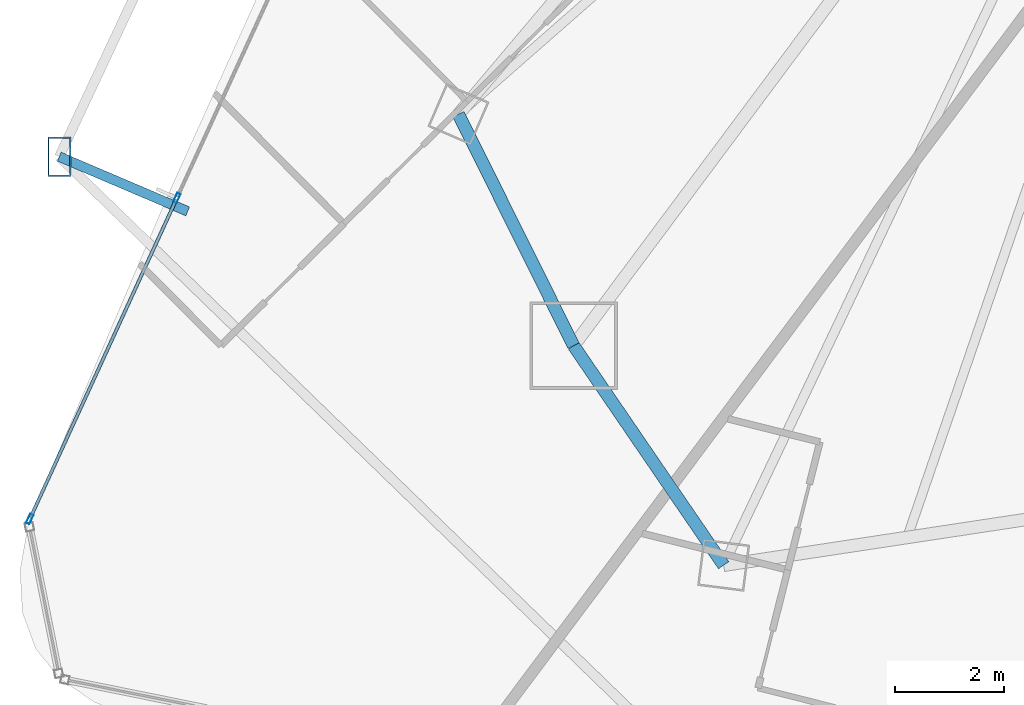
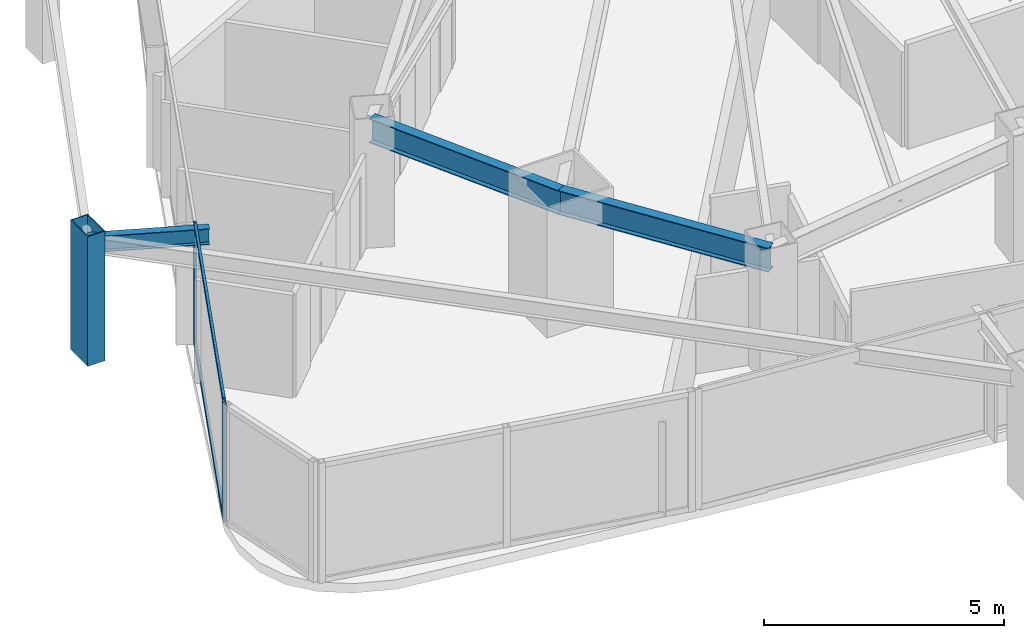
# One storey, part 5 of 35: 5 members, 3 beams, 1 element without a shape of its own.
"""IFC4 building model written with IfcOpenShell, lengths in metres."""

from ifc_helpers import new_model, si_unit, direction, frame, origin, origin_2d, place, context, subcontext, project, spatial, hollow_rectangle, i_section, extrude, material, layer, layer_set, material_profile, profile_set, type_object, element, aggregate, save


model = new_model("IFC4")

# Units and contexts
model_context = context("Model", 3, precision=1e-05, world=origin(), true_north=direction((0.0, 1.0)))
body_context = subcontext(model_context, "Body", "Model", "MODEL_VIEW")
ifc_project = project(units=[si_unit("LENGTHUNIT", "METRE"), si_unit("AREAUNIT", "SQUARE_METRE"), si_unit("VOLUMEUNIT", "CUBIC_METRE"), si_unit("PLANEANGLEUNIT", "RADIAN"), si_unit("MASSUNIT", "GRAM", prefix="KILO")], contexts=[model_context])

# Site, building, storey
site_placement = place(None, origin())
site = spatial("IfcSite", under=ifc_project, at=site_placement, CompositionType="ELEMENT")
building_placement = place(site_placement, origin())
building = spatial("IfcBuilding", under=site, at=building_placement, Name="Orvanel Arch Residences", CompositionType="ELEMENT")
storey_placement = place(building_placement, frame((0.0, 0.0, 36.800048828125)))
storey = spatial("IfcBuildingStorey", under=building, at=storey_placement, Name="L09", CompositionType="ELEMENT", Elevation=36.800048828125)

# Member
ifc_material_1 = material(Name="Structural steel AS/NZS 3678 Grade 350", Category="steel")
ifc_material_profile_1 = material_profile(ifc_material_1, hollow_rectangle(XDim=0.419921875, YDim=0.719970703125, WallThickness=0.02490234375, at=origin_2d()), Name="RHS720x420x25")
ifc_profile_set_1 = profile_set([ifc_material_profile_1], Name="Structural steel AS/NZS 3678 Grade 350")
member_type_1 = type_object("IfcMemberType", Name="CH-720RHS-EXT", PredefinedType="CHORD", material=ifc_profile_set_1)
member_1_placement = place(storey_placement, frame((4.801025390625, 13.804931640625, 0.0), z_axis=(0.0, 0.0, 1.0), x_axis=(1.0, 0.0, 0.0)))
element("IfcMember", 1, at=member_1_placement, inside=storey, type_object=member_type_1, Name="L09 Outer Perimeter Frame Post 04", PredefinedType="CHORD", context=body_context, shape_type="SweptSolid", body=[
    extrude(hollow_rectangle(XDim=0.419921875, YDim=0.719970703125, WallThickness=0.02490234375, at=origin_2d()), origin(), (0.0, 0.0, 1.0), 3.300048828125),
])

# Curtain wall, members
ifc_material_2 = material(Name="Bronze-anodised aluminium AA6063-T6", Category="aluminium")
ifc_layer = layer(ifc_material_2, 0.179931640625)
ifc_layer_set = layer_set([ifc_layer], Name="Bronze-anodised aluminium AA6063-T6")
curtain_wall_type = type_object("IfcCurtainWallType", Name="CW2-LOW-SYS", PredefinedType="NOTDEFINED", material=ifc_layer_set)
curtain_wall_placement = place(storey_placement, origin())
curtain_wall = element("IfcCurtainWall", 2, at=curtain_wall_placement, inside=storey, type_object=curtain_wall_type, Name="L09 CW2-LOW-SYS Unitised Curtain Wall", PredefinedType="NOTDEFINED")
ifc_material_profile_2 = material_profile(ifc_material_2, hollow_rectangle(XDim=0.070068359375, YDim=0.179931640625, WallThickness=0.00439453125, at=origin_2d()), Name="ALU180x70x4.5")
ifc_profile_set_2 = profile_set([ifc_material_profile_2], Name="Bronze-anodised aluminium AA6063-T6")
member_type_2 = type_object("IfcMemberType", Name="MUL-180x70", PredefinedType="MULLION", material=ifc_profile_set_2)
member_2_placement = place(storey_placement, frame((6.94921875, 13.048095703125, 0.0), z_axis=(0.0, 0.0, 1.0), x_axis=(0.909118333197, -0.416537940944, 0.0)))
member_2 = element("IfcMember", 3, at=member_2_placement, type_object=member_type_2, Name="CW-S2 mullion 3", PredefinedType="MULLION", context=body_context, shape_type="SweptSolid", body=[
    extrude(hollow_rectangle(XDim=0.070068359375, YDim=0.179931640625, WallThickness=0.00439453125, at=origin_2d()), origin(), (0.0, 0.0, 1.0), 3.06005859375),
])
member_3_placement = place(storey_placement, frame((4.261474609375, 7.181884765625, 0.0), z_axis=(0.0, 0.0, 1.0), x_axis=(0.909118333197, -0.416537940944, 0.0)))
member_3 = element("IfcMember", 4, at=member_3_placement, type_object=member_type_2, Name="CW-S2 mullion 4", PredefinedType="MULLION", context=body_context, shape_type="SweptSolid", body=[
    extrude(hollow_rectangle(XDim=0.070068359375, YDim=0.179931640625, WallThickness=0.00439453125, at=origin_2d()), origin(), (0.0, 0.0, 1.0), 3.06005859375),
])

# Beams
ifc_material_3 = material(Name="Structural steel AS/NZS 3679.1 Grade 300 (300 MPa)", Category="steel")
ifc_material_profile_3 = material_profile(ifc_material_3, i_section(OverallWidth=0.177978515625, OverallDepth=0.406005859375, WebThickness=0.0078125, FlangeThickness=0.0126953125, at=origin_2d()), Name="410UB59.7")
ifc_profile_set_3 = profile_set([ifc_material_profile_3], Name="Structural steel AS/NZS 3679.1 Grade 300 (300 MPa)")
beam_type_1 = type_object("IfcBeamType", Name="OB-410UB-EXT", PredefinedType="SPANDREL", material=ifc_profile_set_3)
beam_1_placement = place(storey_placement, frame((7.14697265625, 12.804931640625, 2.85693359375), z_axis=(-0.919910810227, 0.39212765935, 0.0), x_axis=(-0.39212765935, -0.919910810227, 0.0)))
element("IfcBeam", 5, at=beam_1_placement, inside=storey, type_object=beam_type_1, Name="L09 Outer Frame Radial Tie Beam 04", PredefinedType="SPANDREL", context=body_context, shape_type="SweptSolid", body=[
    extrude(i_section(OverallWidth=0.177978515625, OverallDepth=0.406005859375, WebThickness=0.0078125, FlangeThickness=0.0126953125, at=origin_2d()), origin(), (0.0, 0.0, 1.0), 2.55029296875),
])
ifc_material_profile_4 = material_profile(ifc_material_3, i_section(OverallWidth=0.22900390625, OverallDepth=0.612060546875, WebThickness=0.011962890625, FlangeThickness=0.01953125, at=origin_2d()), Name="610UB125")
ifc_profile_set_4 = profile_set([ifc_material_profile_4], Name="Structural steel AS/NZS 3679.1 Grade 300 (300 MPa)")
beam_type_2 = type_object("IfcBeamType", Name="SP-610UB", PredefinedType="SPANDREL", material=ifc_profile_set_4)
beam_2_placement = place(storey_placement, frame((12.094970703125, 14.580078125, 2.75390625), z_axis=(0.44543469453, -0.895314432425, 0.0), x_axis=(0.895314432425, 0.44543469453, 0.0)))
element("IfcBeam", 6, at=beam_2_placement, inside=storey, type_object=beam_type_2, Name="L09 Perimeter Spandrel Beam 02", PredefinedType="SPANDREL", context=body_context, shape_type="SweptSolid", body=[
    extrude(i_section(OverallWidth=0.22900390625, OverallDepth=0.612060546875, WebThickness=0.011962890625, FlangeThickness=0.01953125, at=origin_2d()), origin(), (0.0, 0.0, 1.0), 4.723388671875),
])
beam_3_placement = place(storey_placement, frame((14.198974609375, 10.35107421875, 2.75390625), z_axis=(0.564251579852, -0.825602903722, 0.0), x_axis=(0.825602903722, 0.564251579852, 0.0)))
element("IfcBeam", 7, at=beam_3_placement, inside=storey, type_object=beam_type_2, Name="L09 Perimeter Spandrel Beam 03", PredefinedType="SPANDREL", context=body_context, shape_type="SweptSolid", body=[
    extrude(i_section(OverallWidth=0.22900390625, OverallDepth=0.612060546875, WebThickness=0.011962890625, FlangeThickness=0.01953125, at=origin_2d()), origin(), (0.0, 0.0, 1.0), 4.859375),
])

# Member
ifc_material_profile_5 = material_profile(ifc_material_2, hollow_rectangle(XDim=0.06005859375, YDim=0.135009765625, WallThickness=0.00390625, at=origin_2d()), Name="ALU135x60x4")
ifc_profile_set_5 = profile_set([ifc_material_profile_5], Name="Bronze-anodised aluminium AA6063-T6")
member_type_3 = type_object("IfcMemberType", Name="TRN-135x60", PredefinedType="USERDEFINED", material=ifc_profile_set_5)
member_4_placement = place(storey_placement, frame((6.934814453125, 13.01611328125, 0.030029296875), z_axis=(-0.416553290639, -0.909111300149, 0.0), x_axis=(0.909111300149, -0.416553290639, 0.0)))
member_4 = element("IfcMember", 8, at=member_4_placement, type_object=member_type_3, Name="CW-S2 transom 3.1", ObjectType="TRANSOM", PredefinedType="USERDEFINED", context=body_context, shape_type="SweptSolid", body=[
    extrude(hollow_rectangle(XDim=0.06005859375, YDim=0.135009765625, WallThickness=0.00390625, at=origin_2d()), origin(), (0.0, 0.0, 1.0), 6.382568359375),
])

member_5_placement = place(storey_placement, frame((6.934814453125, 13.01611328125, 3.030029296875), z_axis=(-0.416553290639, -0.909111300149, 0.0), x_axis=(0.909111300149, -0.416553290639, 0.0)))
member_5 = element("IfcMember", 9, at=member_5_placement, type_object=member_type_3, Name="CW-S2 transom 3.2", ObjectType="TRANSOM", PredefinedType="USERDEFINED", context=body_context, shape_type="SweptSolid", body=[
    extrude(hollow_rectangle(XDim=0.06005859375, YDim=0.135009765625, WallThickness=0.00390625, at=origin_2d()), origin(), (0.0, 0.0, 1.0), 6.382568359375),
])

aggregate(curtain_wall, [member_2, member_3, member_4, member_5])

save(model, "model.ifc")
